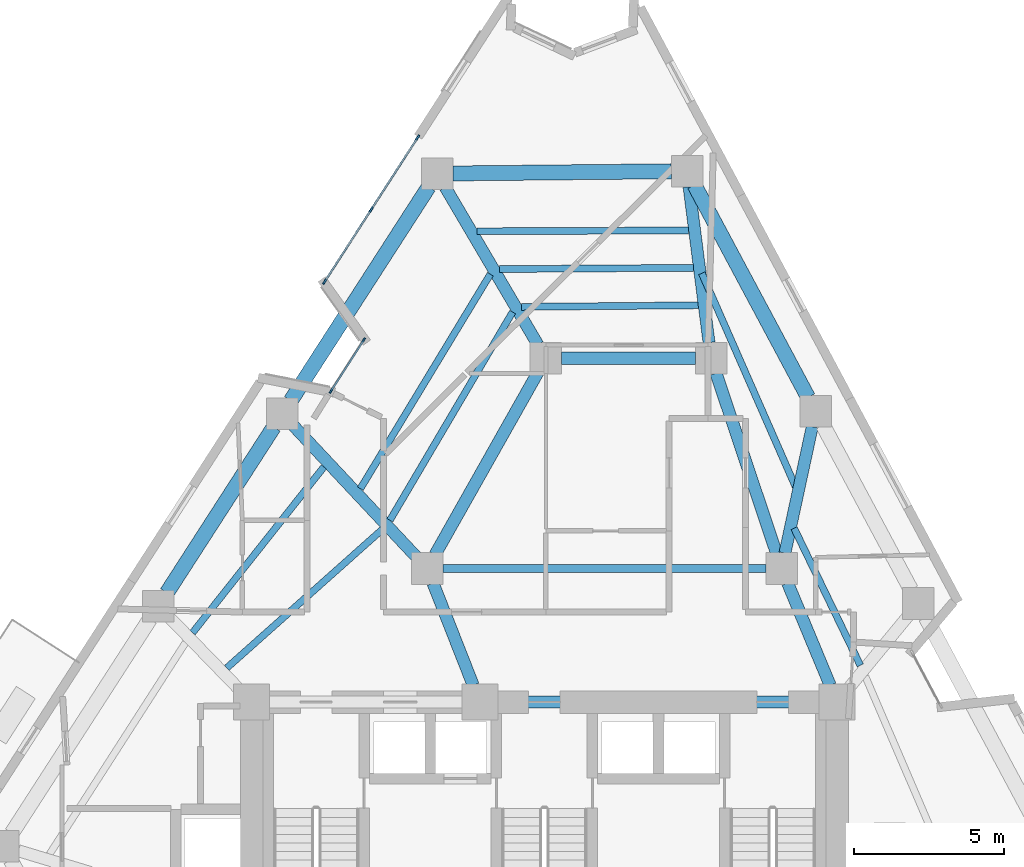
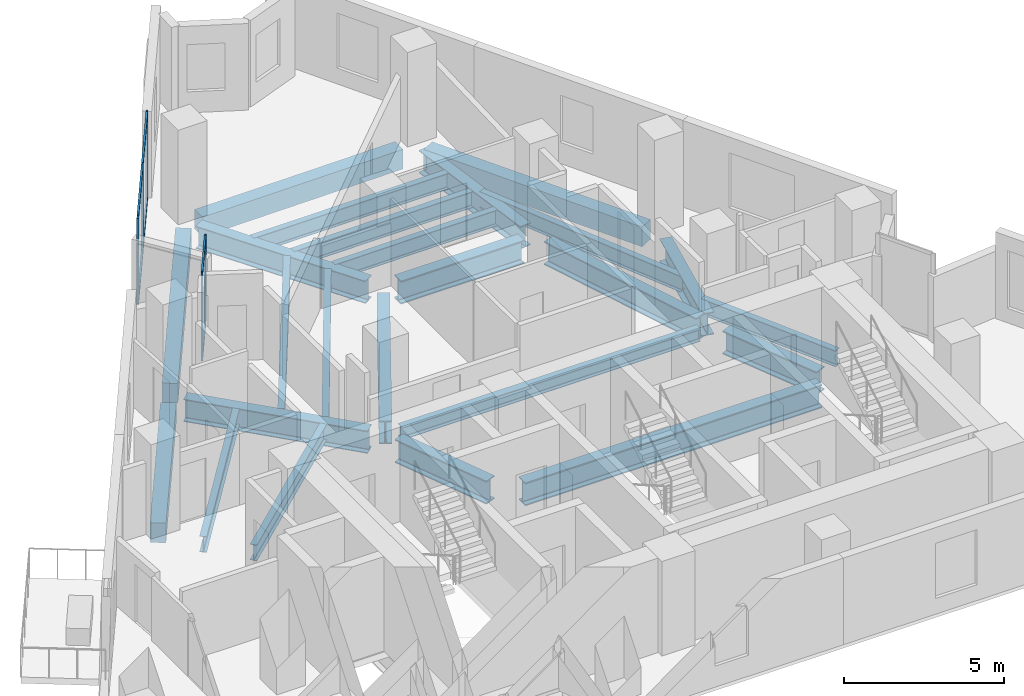
# One storey, part 3 of 11: 24 beams, 11 members, 2 elements without a shape of their own.
"""IFC4 building model written with IfcOpenShell, lengths in metres."""

from ifc_helpers import new_model, si_unit, direction, frame, origin, origin_2d, place, context, subcontext, project, spatial, rectangle, i_section, extrude, material, layer, layer_set, material_profile, profile_set, type_object, element, aggregate, save


model = new_model("IFC4")

# Units and contexts
model_context = context("Model", 3, precision=1e-05, world=origin(), true_north=direction((0.0, 1.0)))
body_context = subcontext(model_context, "Body", "Model", "MODEL_VIEW")
ifc_project = project(units=[si_unit("LENGTHUNIT", "METRE"), si_unit("AREAUNIT", "SQUARE_METRE"), si_unit("VOLUMEUNIT", "CUBIC_METRE"), si_unit("PLANEANGLEUNIT", "RADIAN"), si_unit("MASSUNIT", "GRAM", prefix="KILO")], contexts=[model_context])

# Site, building, storey
site_placement = place(None, origin())
site = spatial("IfcSite", under=ifc_project, at=site_placement, CompositionType="ELEMENT")
building_placement = place(site_placement, origin())
building = spatial("IfcBuilding", under=site, at=building_placement, Name="Almagre Mirador Tower", CompositionType="ELEMENT")
storey_placement = place(building_placement, frame((0.0, 0.0, 193.199951171875)))
storey = spatial("IfcBuildingStorey", under=building, at=storey_placement, Name="L50", CompositionType="ELEMENT", Elevation=193.199951171875)

# Beams
ifc_material_1 = material(Name="Steel ASTM A992 Grade 50", Category="steel")
ifc_material_profile_1 = material_profile(ifc_material_1, i_section(OverallWidth=0.281982421875, OverallDepth=0.467041015625, WebThickness=0.01220703125, FlangeThickness=0.01953125, FilletRadius=0.01611328125, at=origin_2d()), Name="W18X86")
ifc_profile_set_1 = profile_set([ifc_material_profile_1], Name="Steel ASTM A992 Grade 50")
beam_type_1 = type_object("IfcBeamType", Name="BM-BAL-W18X86", PredefinedType="JOIST", material=ifc_profile_set_1)
beam_1_placement = place(storey_placement, frame((33.925048828125, 19.199951171875, -0.4833984375), z_axis=(1.0, 0.0, 0.0), x_axis=(0.0, 1.0, 0.0)))
element("IfcBeam", 1, at=beam_1_placement, inside=storey, type_object=beam_type_1, Name="L50 secondary header beam BB-01", PredefinedType="JOIST", context=body_context, shape_type="SweptSolid", body=[
    extrude(i_section(OverallWidth=0.281982421875, OverallDepth=0.467041015625, WebThickness=0.01220703125, FlangeThickness=0.01953125, FilletRadius=0.01611328125, at=origin_2d()), origin(), (0.0, 0.0, 1.0), 10.75),
])
ifc_material_2 = material(Name="Steel ASTM A992 Grade 50", Category="steel")
ifc_material_profile_2 = material_profile(ifc_material_2, i_section(OverallWidth=0.22802734375, OverallDepth=0.60791015625, WebThickness=0.01123046875, FlangeThickness=0.017333984375, FilletRadius=0.02001953125, at=origin_2d()), Name="W24X76")
ifc_profile_set_2 = profile_set([ifc_material_profile_2], Name="Steel ASTM A992 Grade 50")
beam_type_2 = type_object("IfcBeamType", Name="BM-JST-W24X76", PredefinedType="JOIST", material=ifc_profile_set_2)
beam_2_placement = place(storey_placement, frame((47.822021484375, 15.97265625, -0.553955078125), z_axis=(-0.434740994788, 0.900555532686, 0.0), x_axis=(-0.900555532686, -0.434740994788, 0.0)))
element("IfcBeam", 2, at=beam_2_placement, inside=storey, type_object=beam_type_2, Name="L50 secondary floor joist PC06-PC07.3", PredefinedType="JOIST", context=body_context, shape_type="SweptSolid", body=[
    extrude(i_section(OverallWidth=0.22802734375, OverallDepth=0.60791015625, WebThickness=0.01123046875, FlangeThickness=0.017333984375, FilletRadius=0.02001953125, at=origin_2d()), origin(), (0.0, 0.0, 1.0), 5.075439453125),
])
beam_3_placement = place(storey_placement, frame((45.66650390625, 21.91552734375, -0.553955078125), z_axis=(-0.401924525643, 0.915672799469, 0.0), x_axis=(-0.915672799469, -0.401924525643, 0.0)))
element("IfcBeam", 3, at=beam_3_placement, inside=storey, type_object=beam_type_2, Name="L50 secondary floor joist PC07-PC08.2", PredefinedType="JOIST", context=body_context, shape_type="SweptSolid", body=[
    extrude(i_section(OverallWidth=0.22802734375, OverallDepth=0.60791015625, WebThickness=0.01123046875, FlangeThickness=0.017333984375, FilletRadius=0.02001953125, at=origin_2d()), origin(), (0.0, 0.0, 1.0), 7.770263671875),
])
beam_4_placement = place(storey_placement, frame((42.10400390625, 30.45849609375, -0.553955078125), z_axis=(-0.999991632659, -0.004090796071, 0.0), x_axis=(0.004090796071, -0.999991632659, 0.0)))
element("IfcBeam", 4, at=beam_4_placement, inside=storey, type_object=beam_type_2, Name="L50 secondary floor joist PC08-PC09.1", PredefinedType="JOIST", context=body_context, shape_type="SweptSolid", body=[
    extrude(i_section(OverallWidth=0.22802734375, OverallDepth=0.60791015625, WebThickness=0.01123046875, FlangeThickness=0.017333984375, FilletRadius=0.02001953125, at=origin_2d()), origin(), (0.0, 0.0, 1.0), 7.042236328125),
])
beam_5_placement = place(storey_placement, frame((42.263916015625, 29.2119140625, -0.553955078125), z_axis=(-0.999980331831, -0.006271837952, 0.0), x_axis=(0.006271837952, -0.999980331831, 0.0)))
element("IfcBeam", 5, at=beam_5_placement, inside=storey, type_object=beam_type_2, Name="L50 secondary floor joist PC08-PC09.2", PredefinedType="JOIST", context=body_context, shape_type="SweptSolid", body=[
    extrude(i_section(OverallWidth=0.22802734375, OverallDepth=0.60791015625, WebThickness=0.01123046875, FlangeThickness=0.017333984375, FilletRadius=0.02001953125, at=origin_2d()), origin(), (0.0, 0.0, 1.0), 6.4619140625),
])
beam_6_placement = place(storey_placement, frame((42.423828125, 27.965087890625, -0.553955078125), z_axis=(-0.999960909952, -0.008841864495, 0.0), x_axis=(0.008841864495, -0.999960909952, 0.0)))
element("IfcBeam", 6, at=beam_6_placement, inside=storey, type_object=beam_type_2, Name="L50 secondary floor joist PC08-PC09.3", PredefinedType="JOIST", context=body_context, shape_type="SweptSolid", body=[
    extrude(i_section(OverallWidth=0.22802734375, OverallDepth=0.60791015625, WebThickness=0.01123046875, FlangeThickness=0.017333984375, FilletRadius=0.02001953125, at=origin_2d()), origin(), (0.0, 0.0, 1.0), 5.88134765625),
])
beam_7_placement = place(storey_placement, frame((35.499267578125, 28.99951171875, -0.553955078125), z_axis=(-0.518248582566, -0.855230031435, 0.0), x_axis=(0.855230031435, -0.518248582566, 0.0)))
element("IfcBeam", 7, at=beam_7_placement, inside=storey, type_object=beam_type_2, Name="L50 secondary floor joist PC09-PC10.2", PredefinedType="JOIST", context=body_context, shape_type="SweptSolid", body=[
    extrude(i_section(OverallWidth=0.22802734375, OverallDepth=0.60791015625, WebThickness=0.01123046875, FlangeThickness=0.017333984375, FilletRadius=0.02001953125, at=origin_2d()), origin(), (0.0, 0.0, 1.0), 8.3505859375),
])
beam_8_placement = place(storey_placement, frame((36.241943359375, 27.739501953125, -0.553955078125), z_axis=(-0.507774337639, -0.861490117201, 0.0), x_axis=(0.861490117201, -0.507774337639, 0.0)))
element("IfcBeam", 8, at=beam_8_placement, inside=storey, type_object=beam_type_2, Name="L50 secondary floor joist PC09-PC10.3", PredefinedType="JOIST", context=body_context, shape_type="SweptSolid", body=[
    extrude(i_section(OverallWidth=0.22802734375, OverallDepth=0.60791015625, WebThickness=0.01123046875, FlangeThickness=0.017333984375, FilletRadius=0.02001953125, at=origin_2d()), origin(), (0.0, 0.0, 1.0), 8.047119140625),
])
beam_9_placement = place(storey_placement, frame((29.9580078125, 22.5830078125, -0.553955078125), z_axis=(-0.620854705011, -0.783925656721, 0.0), x_axis=(0.783925656721, -0.620854705011, 0.0)))
element("IfcBeam", 9, at=beam_9_placement, inside=storey, type_object=beam_type_2, Name="L50 secondary floor joist PC10-PC11.1", PredefinedType="JOIST", context=body_context, shape_type="SweptSolid", body=[
    extrude(i_section(OverallWidth=0.22802734375, OverallDepth=0.60791015625, WebThickness=0.01123046875, FlangeThickness=0.017333984375, FilletRadius=0.02001953125, at=origin_2d()), origin(), (0.0, 0.0, 1.0), 7.045654296875),
])
beam_10_placement = place(storey_placement, frame((31.905517578125, 20.50244140625, -0.553955078125), z_axis=(-0.746774214906, -0.665077643551, 0.0), x_axis=(0.665077643551, -0.746774214906, 0.0)))
element("IfcBeam", 10, at=beam_10_placement, inside=storey, type_object=beam_type_2, Name="L50 secondary floor joist PC10-PC11.3", PredefinedType="JOIST", context=body_context, shape_type="SweptSolid", body=[
    extrude(i_section(OverallWidth=0.22802734375, OverallDepth=0.60791015625, WebThickness=0.01123046875, FlangeThickness=0.017333984375, FilletRadius=0.02001953125, at=origin_2d()), origin(), (0.0, 0.0, 1.0), 6.93896484375),
])
ifc_material_3 = material(Name="Precast concrete C50/60", Category="concrete")
ifc_material_profile_3 = material_profile(ifc_material_3, rectangle(XDim=0.5, YDim=0.75, at=origin_2d()), Name="RC500X750")
ifc_profile_set_3 = profile_set([ifc_material_profile_3], Name="Precast concrete C50/60")
beam_type_3 = type_object("IfcBeamType", Name="BM-SPN-RC500X750", PredefinedType="SPANDREL", material=ifc_profile_set_3)
beam_11_placement = place(storey_placement, frame((46.082275390625, 24.89697265625, -0.625), z_axis=(-0.471728183201, 0.881744022477, 0.0), x_axis=(-0.881744022477, -0.471728183201, 0.0)))
element("IfcBeam", 11, at=beam_11_placement, inside=storey, type_object=beam_type_3, Name="L50 perimeter spandrel beam PC07-PC08", PredefinedType="SPANDREL", context=body_context, shape_type="SweptSolid", body=[
    extrude(rectangle(XDim=0.5, YDim=0.75, at=origin_2d()), origin(), (0.0, 0.0, 1.0), 8.02294921875),
])
beam_12_placement = place(storey_placement, frame((41.52490234375, 32.4287109375, -0.625), z_axis=(-0.999948885843, -0.010110672667, 0.0), x_axis=(0.010110672667, -0.999948885843, 0.0)))
element("IfcBeam", 12, at=beam_12_placement, inside=storey, type_object=beam_type_3, Name="L50 perimeter spandrel beam PC08-PC09", PredefinedType="SPANDREL", context=body_context, shape_type="SweptSolid", body=[
    extrude(rectangle(XDim=0.5, YDim=0.75, at=origin_2d()), origin(), (0.0, 0.0, 1.0), 7.268310546875),
])
beam_13_placement = place(storey_placement, frame((33.447509765625, 31.90869140625, -0.625), z_axis=(-0.542037572895, -0.840354252426, 0.0), x_axis=(0.840354252426, -0.542037572895, 0.0)))
element("IfcBeam", 13, at=beam_13_placement, inside=storey, type_object=beam_type_3, Name="L50 perimeter spandrel beam PC09-PC10", PredefinedType="SPANDREL", context=body_context, shape_type="SweptSolid", body=[
    extrude(rectangle(XDim=0.5, YDim=0.75, at=origin_2d()), origin(), (0.0, 0.0, 1.0), 8.469482421875),
])
beam_14_placement = place(storey_placement, frame((28.287353515625, 23.90869140625, -0.625), z_axis=(-0.542031160538, -0.840358388431, 0.0), x_axis=(0.840358388431, -0.542031160538, 0.0)))
element("IfcBeam", 14, at=beam_14_placement, inside=storey, type_object=beam_type_3, Name="L50 perimeter spandrel beam PC10-PC11", PredefinedType="SPANDREL", context=body_context, shape_type="SweptSolid", body=[
    extrude(rectangle(XDim=0.5, YDim=0.75, at=origin_2d()), origin(), (0.0, 0.0, 1.0), 6.565673828125),
])
ifc_material_4 = material(Name="Steel ASTM A992 Grade 50", Category="steel")
ifc_material_profile_4 = material_profile(ifc_material_4, i_section(OverallWidth=0.39892578125, OverallDepth=0.85595703125, WebThickness=0.018310546875, FlangeThickness=0.029296875, FilletRadius=0.02490234375, at=origin_2d()), Name="W33X201")
ifc_profile_set_4 = profile_set([ifc_material_profile_4], Name="Steel ASTM A992 Grade 50")
beam_type_4 = type_object("IfcBeamType", Name="BM-STL-W33X201", PredefinedType="BEAM", material=ifc_profile_set_4)
beam_15_placement = place(storey_placement, frame((46.21923828125, 23.9208984375, -0.677978515625), z_axis=(-0.21103551524, -0.977478394292, 0.0), x_axis=(0.977478394292, -0.21103551524, 0.0)))
element("IfcBeam", 15, at=beam_15_placement, inside=storey, type_object=beam_type_4, Name="L50 radial floor girder PC07-MC5", PredefinedType="BEAM", context=body_context, shape_type="SweptSolid", body=[
    extrude(i_section(OverallWidth=0.39892578125, OverallDepth=0.85595703125, WebThickness=0.018310546875, FlangeThickness=0.029296875, FilletRadius=0.02490234375, at=origin_2d()), origin(), (0.0, 0.0, 1.0), 4.3046875),
])
beam_16_placement = place(storey_placement, frame((42.11669921875, 31.913330078125, -0.677978515625), z_axis=(0.127311366157, -0.99186280102, 0.0), x_axis=(0.99186280102, 0.127311366157, 0.0)))
element("IfcBeam", 16, at=beam_16_placement, inside=storey, type_object=beam_type_4, Name="L50 radial floor girder PC08-MC6", PredefinedType="BEAM", context=body_context, shape_type="SweptSolid", body=[
    extrude(i_section(OverallWidth=0.39892578125, OverallDepth=0.85595703125, WebThickness=0.018310546875, FlangeThickness=0.029296875, FilletRadius=0.02490234375, at=origin_2d()), origin(), (0.0, 0.0, 1.0), 5.235107421875),
])
beam_17_placement = place(storey_placement, frame((33.998291015625, 31.8974609375, -0.677978515625), z_axis=(0.507048179997, -0.861917712524, 0.0), x_axis=(0.861917712524, 0.507048179997, 0.0)))
element("IfcBeam", 17, at=beam_17_placement, inside=storey, type_object=beam_type_4, Name="L50 radial floor girder PC09-MC7", PredefinedType="BEAM", context=body_context, shape_type="SweptSolid", body=[
    extrude(i_section(OverallWidth=0.39892578125, OverallDepth=0.85595703125, WebThickness=0.018310546875, FlangeThickness=0.029296875, FilletRadius=0.02490234375, at=origin_2d()), origin(), (0.0, 0.0, 1.0), 6.085205078125),
])
beam_18_placement = place(storey_placement, frame((28.93115234375, 23.967041015625, -0.677978515625), z_axis=(0.683926262896, -0.729551140717, 0.0), x_axis=(0.729551140717, 0.683926262896, 0.0)))
element("IfcBeam", 18, at=beam_18_placement, inside=storey, type_object=beam_type_4, Name="L50 radial floor girder PC10-MC8", PredefinedType="BEAM", context=body_context, shape_type="SweptSolid", body=[
    extrude(i_section(OverallWidth=0.39892578125, OverallDepth=0.85595703125, WebThickness=0.018310546875, FlangeThickness=0.029296875, FilletRadius=0.02490234375, at=origin_2d()), origin(), (0.0, 0.0, 1.0), 6.00927734375),
])
ifc_material_5 = material(Name="Steel ASTM A992 Grade 50", Category="steel")
ifc_material_profile_5 = material_profile(ifc_material_5, i_section(OverallWidth=0.404052734375, OverallDepth=0.884033203125, WebThickness=0.0244140625, FlangeThickness=0.0439453125, FilletRadius=0.02490234375, at=origin_2d()), Name="W33X291")
ifc_profile_set_5 = profile_set([ifc_material_profile_5], Name="Steel ASTM A992 Grade 50")
beam_type_5 = type_object("IfcBeamType", Name="BM-STL-W33X291", PredefinedType="BEAM", material=ifc_profile_set_5)
beam_19_placement = place(storey_placement, frame((37.875, 26.199951171875, -0.69189453125), z_axis=(1.0, 0.0, 0.0), x_axis=(0.0, 1.0, 0.0)))
element("IfcBeam", 19, at=beam_19_placement, inside=storey, type_object=beam_type_5, Name="L50 core tie girder MC7-MC6", PredefinedType="BEAM", context=body_context, shape_type="SweptSolid", body=[
    extrude(i_section(OverallWidth=0.404052734375, OverallDepth=0.884033203125, WebThickness=0.0244140625, FlangeThickness=0.0439453125, FilletRadius=0.02490234375, at=origin_2d()), origin(), (0.0, 0.0, 1.0), 4.449951171875),
])
beam_20_placement = place(storey_placement, frame((35.75, 14.75, -0.69189453125), z_axis=(1.0, 0.0, 0.0), x_axis=(0.0, 1.0, 0.0)))
element("IfcBeam", 20, at=beam_20_placement, inside=storey, type_object=beam_type_5, Name="L50 core tie girder CC5-CC6", PredefinedType="BEAM", context=body_context, shape_type="SweptSolid", body=[
    extrude(i_section(OverallWidth=0.404052734375, OverallDepth=0.884033203125, WebThickness=0.0244140625, FlangeThickness=0.0439453125, FilletRadius=0.02490234375, at=origin_2d()), origin(), (0.0, 0.0, 1.0), 10.699951171875),
])
beam_21_placement = place(storey_placement, frame((45.401611328125, 18.715087890625, -0.69189453125), z_axis=(0.383845645019, -0.923397271384, 0.0), x_axis=(0.923397271384, 0.383845645019, 0.0)))
element("IfcBeam", 21, at=beam_21_placement, inside=storey, type_object=beam_type_5, Name="L50 core tie girder MC5-CC6", PredefinedType="BEAM", context=body_context, shape_type="SweptSolid", body=[
    extrude(i_section(OverallWidth=0.404052734375, OverallDepth=0.884033203125, WebThickness=0.0244140625, FlangeThickness=0.0439453125, FilletRadius=0.02490234375, at=origin_2d()), origin(), (0.0, 0.0, 1.0), 3.694091796875),
])
beam_22_placement = place(storey_placement, frame((43.01708984375, 25.702392578125, -0.69189453125), z_axis=(0.318262189587, -0.948002731367, 0.0), x_axis=(0.948002731367, 0.318262189587, 0.0)))
element("IfcBeam", 22, at=beam_22_placement, inside=storey, type_object=beam_type_5, Name="L50 core tie girder MC6-MC5", PredefinedType="BEAM", context=body_context, shape_type="SweptSolid", body=[
    extrude(i_section(OverallWidth=0.404052734375, OverallDepth=0.884033203125, WebThickness=0.0244140625, FlangeThickness=0.0439453125, FilletRadius=0.02490234375, at=origin_2d()), origin(), (0.0, 0.0, 1.0), 6.333984375),
])
beam_23_placement = place(storey_placement, frame((37.092041015625, 25.742919921875, -0.69189453125), z_axis=(-0.491443510044, -0.870909453638, 0.0), x_axis=(0.870909453638, -0.491443510044, 0.0)))
element("IfcBeam", 23, at=beam_23_placement, inside=storey, type_object=beam_type_5, Name="L50 core tie girder MC7-MC8", PredefinedType="BEAM", context=body_context, shape_type="SweptSolid", body=[
    extrude(i_section(OverallWidth=0.404052734375, OverallDepth=0.884033203125, WebThickness=0.0244140625, FlangeThickness=0.0439453125, FilletRadius=0.02490234375, at=origin_2d()), origin(), (0.0, 0.0, 1.0), 6.98779296875),
])
beam_24_placement = place(storey_placement, frame((33.592041015625, 18.71142578125, -0.69189453125), z_axis=(0.365997304164, -0.930615910752, 0.0), x_axis=(0.930615910752, 0.365997304164, 0.0)))
element("IfcBeam", 24, at=beam_24_placement, inside=storey, type_object=beam_type_5, Name="L50 core tie girder MC8-CC5", PredefinedType="BEAM", context=body_context, shape_type="SweptSolid", body=[
    extrude(i_section(OverallWidth=0.404052734375, OverallDepth=0.884033203125, WebThickness=0.0244140625, FlangeThickness=0.0439453125, FilletRadius=0.02490234375, at=origin_2d()), origin(), (0.0, 0.0, 1.0), 3.65673828125),
])

# Curtain wall, members
ifc_material_6 = material(Name="Black anodized aluminium", Category="aluminium")
ifc_layer_1 = layer(ifc_material_6, 0.169921875)
ifc_layer_set_1 = layer_set([ifc_layer_1], Name="Black anodized aluminium")
curtain_wall_type_1 = type_object("IfcCurtainWallType", Name="CW-CRS-SYS", PredefinedType="NOTDEFINED", material=ifc_layer_set_1)
curtain_wall_1_placement = place(storey_placement, origin())
curtain_wall_1 = element("IfcCurtainWall", 25, at=curtain_wall_1_placement, inside=storey, type_object=curtain_wall_type_1, Name="L50 vertical crease curtain wall 01", PredefinedType="NOTDEFINED")
ifc_material_7 = material(Name="Black anodized aluminium", Category="aluminium")
ifc_material_profile_6 = material_profile(ifc_material_7, rectangle(XDim=0.06005859375, YDim=0.14990234375, at=origin_2d()), Name="CWM60X150")
ifc_profile_set_6 = profile_set([ifc_material_profile_6], Name="Black anodized aluminium")
member_type_1 = type_object("IfcMemberType", Name="MBR-CWM60X150", PredefinedType="MULLION", material=ifc_profile_set_6)
member_1_placement = place(storey_placement, frame((30.191162109375, 25.106201171875, 0.0), z_axis=(0.0, 0.0, 1.0), x_axis=(-0.840493535426, 0.541821572943, 0.0)))
member_1 = element("IfcMember", 26, at=member_1_placement, type_object=member_type_1, Name="CW-4 mullion 1", PredefinedType="MULLION", context=body_context, shape_type="SweptSolid", body=[
    extrude(rectangle(XDim=0.06005859375, YDim=0.14990234375, at=origin_2d()), origin(), (0.0, 0.0, 1.0), 3.300048828125),
])
member_2_placement = place(storey_placement, frame((31.290771484375, 26.811767578125, 0.0), z_axis=(0.0, 0.0, 1.0), x_axis=(-0.840493535426, 0.541821572943, 0.0)))
member_2 = element("IfcMember", 27, at=member_2_placement, type_object=member_type_1, Name="CW-4 mullion 2", PredefinedType="MULLION", context=body_context, shape_type="SweptSolid", body=[
    extrude(rectangle(XDim=0.06005859375, YDim=0.14990234375, at=origin_2d()), origin(), (0.0, 0.0, 1.0), 3.300048828125),
])

ifc_material_8 = material(Name="Black anodized aluminium", Category="aluminium")
ifc_layer_2 = layer(ifc_material_8, 0.199951171875)
ifc_layer_set_2 = layer_set([ifc_layer_2], Name="Black anodized aluminium")
curtain_wall_type_2 = type_object("IfcCurtainWallType", Name="CW-RES-H-SYS", PredefinedType="NOTDEFINED", material=ifc_layer_set_2)
curtain_wall_2_placement = place(storey_placement, origin())
curtain_wall_2 = element("IfcCurtainWall", 28, at=curtain_wall_2_placement, inside=storey, type_object=curtain_wall_type_2, Name="L50 curtain wall run 02", PredefinedType="NOTDEFINED")
ifc_material_9 = material(Name="Black anodized aluminium", Category="aluminium")
ifc_material_profile_7 = material_profile(ifc_material_9, rectangle(XDim=0.06494140625, YDim=0.179931640625, at=origin_2d()), Name="CWM65X180")
ifc_profile_set_7 = profile_set([ifc_material_profile_7], Name="Black anodized aluminium")
member_type_2 = type_object("IfcMemberType", Name="MBR-CWM65X180", PredefinedType="MULLION", material=ifc_profile_set_7)
member_3_placement = place(storey_placement, frame((29.981689453125, 28.748291015625, 0.0), z_axis=(0.0, 0.0, 1.0), x_axis=(-0.840362721229, 0.542024442963, 0.0)))
member_3 = element("IfcMember", 29, at=member_3_placement, type_object=member_type_2, Name="CW-3 mullion 1", PredefinedType="MULLION", context=body_context, shape_type="SweptSolid", body=[
    extrude(rectangle(XDim=0.06494140625, YDim=0.179931640625, at=origin_2d()), origin(), (0.0, 0.0, 1.0), 3.300048828125),
])
member_4_placement = place(storey_placement, frame((31.531005859375, 31.150390625, 0.0), z_axis=(0.0, 0.0, 1.0), x_axis=(-0.840362721229, 0.542024442963, 0.0)))
member_4 = element("IfcMember", 30, at=member_4_placement, type_object=member_type_2, Name="CW-3 mullion 2", PredefinedType="MULLION", context=body_context, shape_type="SweptSolid", body=[
    extrude(rectangle(XDim=0.06494140625, YDim=0.179931640625, at=origin_2d()), origin(), (0.0, 0.0, 1.0), 3.300048828125),
])
member_5_placement = place(storey_placement, frame((33.080322265625, 33.552734375, 0.0), z_axis=(0.0, 0.0, 1.0), x_axis=(-0.840362721229, 0.542024442963, 0.0)))
member_5 = element("IfcMember", 31, at=member_5_placement, type_object=member_type_2, Name="CW-3 mullion 3", PredefinedType="MULLION", context=body_context, shape_type="SweptSolid", body=[
    extrude(rectangle(XDim=0.06494140625, YDim=0.179931640625, at=origin_2d()), origin(), (0.0, 0.0, 1.0), 3.300048828125),
])

# Member
ifc_material_10 = material(Name="Black anodized aluminium", Category="aluminium")
ifc_material_profile_8 = material_profile(ifc_material_10, rectangle(XDim=0.06005859375, YDim=0.1298828125, at=origin_2d()), Name="CWT60X130")
ifc_profile_set_8 = profile_set([ifc_material_profile_8], Name="Black anodized aluminium")
member_type_3 = type_object("IfcMemberType", Name="MBR-CWT60X130", PredefinedType="USERDEFINED", material=ifc_profile_set_8)
member_6_placement = place(storey_placement, frame((30.20751953125, 25.13134765625, 0.030029296875), z_axis=(0.541759728388, 0.840533400108, 0.0), x_axis=(-0.840533400108, 0.541759728388, 0.0)))
member_6 = element("IfcMember", 32, at=member_6_placement, type_object=member_type_3, Name="CW-4 transom 1.1", ObjectType="TRANSOM", PredefinedType="USERDEFINED", context=body_context, shape_type="SweptSolid", body=[
    extrude(rectangle(XDim=0.06005859375, YDim=0.1298828125, at=origin_2d()), origin(), (0.0, 0.0, 1.0), 1.96923828125),
])

member_7_placement = place(storey_placement, frame((30.20751953125, 25.13134765625, 3.27001953125), z_axis=(0.541759728388, 0.840533400108, 0.0), x_axis=(-0.840533400108, 0.541759728388, 0.0)))
member_7 = element("IfcMember", 33, at=member_7_placement, type_object=member_type_3, Name="CW-4 transom 1.2", ObjectType="TRANSOM", PredefinedType="USERDEFINED", context=body_context, shape_type="SweptSolid", body=[
    extrude(rectangle(XDim=0.06005859375, YDim=0.1298828125, at=origin_2d()), origin(), (0.0, 0.0, 1.0), 1.96923828125),
])

aggregate(curtain_wall_1, [member_1, member_2, member_6, member_7])

ifc_material_11 = material(Name="Black anodized aluminium", Category="aluminium")
ifc_material_profile_9 = material_profile(ifc_material_11, rectangle(XDim=0.06494140625, YDim=0.14990234375, at=origin_2d()), Name="CWT65X150")
ifc_profile_set_9 = profile_set([ifc_material_profile_9], Name="Black anodized aluminium")
member_type_4 = type_object("IfcMemberType", Name="MBR-CWT65X150", PredefinedType="USERDEFINED", material=ifc_profile_set_9)
member_8_placement = place(storey_placement, frame((29.999267578125, 28.775634765625, 0.032470703125), z_axis=(0.542011410905, 0.840371126615, 0.0), x_axis=(-0.840371126615, 0.542011410905, 0.0)))
member_8 = element("IfcMember", 34, at=member_8_placement, type_object=member_type_4, Name="CW-3 transom 1.1", ObjectType="TRANSOM", PredefinedType="USERDEFINED", context=body_context, shape_type="SweptSolid", body=[
    extrude(rectangle(XDim=0.06494140625, YDim=0.14990234375, at=origin_2d()), origin(), (0.0, 0.0, 1.0), 2.793701171875),
])

member_9_placement = place(storey_placement, frame((29.999267578125, 28.775634765625, 3.267578125), z_axis=(0.542011410905, 0.840371126615, 0.0), x_axis=(-0.840371126615, 0.542011410905, 0.0)))
member_9 = element("IfcMember", 35, at=member_9_placement, type_object=member_type_4, Name="CW-3 transom 1.2", ObjectType="TRANSOM", PredefinedType="USERDEFINED", context=body_context, shape_type="SweptSolid", body=[
    extrude(rectangle(XDim=0.06494140625, YDim=0.14990234375, at=origin_2d()), origin(), (0.0, 0.0, 1.0), 2.793701171875),
])

member_10_placement = place(storey_placement, frame((31.548583984375, 31.177734375, 0.032470703125), z_axis=(0.542011410905, 0.840371126615, 0.0), x_axis=(-0.840371126615, 0.542011410905, 0.0)))
member_10 = element("IfcMember", 36, at=member_10_placement, type_object=member_type_4, Name="CW-3 transom 2.1", ObjectType="TRANSOM", PredefinedType="USERDEFINED", context=body_context, shape_type="SweptSolid", body=[
    extrude(rectangle(XDim=0.06494140625, YDim=0.14990234375, at=origin_2d()), origin(), (0.0, 0.0, 1.0), 2.793701171875),
])

member_11_placement = place(storey_placement, frame((31.548583984375, 31.177734375, 3.267578125), z_axis=(0.542011410905, 0.840371126615, 0.0), x_axis=(-0.840371126615, 0.542011410905, 0.0)))
member_11 = element("IfcMember", 37, at=member_11_placement, type_object=member_type_4, Name="CW-3 transom 2.2", ObjectType="TRANSOM", PredefinedType="USERDEFINED", context=body_context, shape_type="SweptSolid", body=[
    extrude(rectangle(XDim=0.06494140625, YDim=0.14990234375, at=origin_2d()), origin(), (0.0, 0.0, 1.0), 2.793701171875),
])

aggregate(curtain_wall_2, [member_3, member_4, member_5, member_8, member_9, member_10, member_11])

save(model, "model.ifc")
